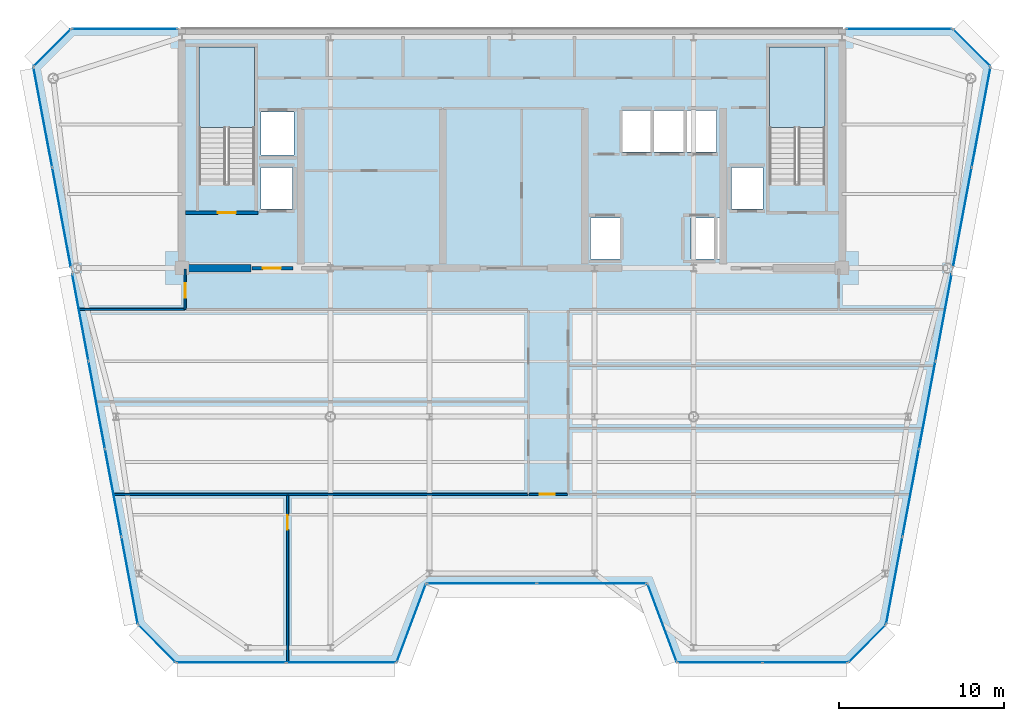
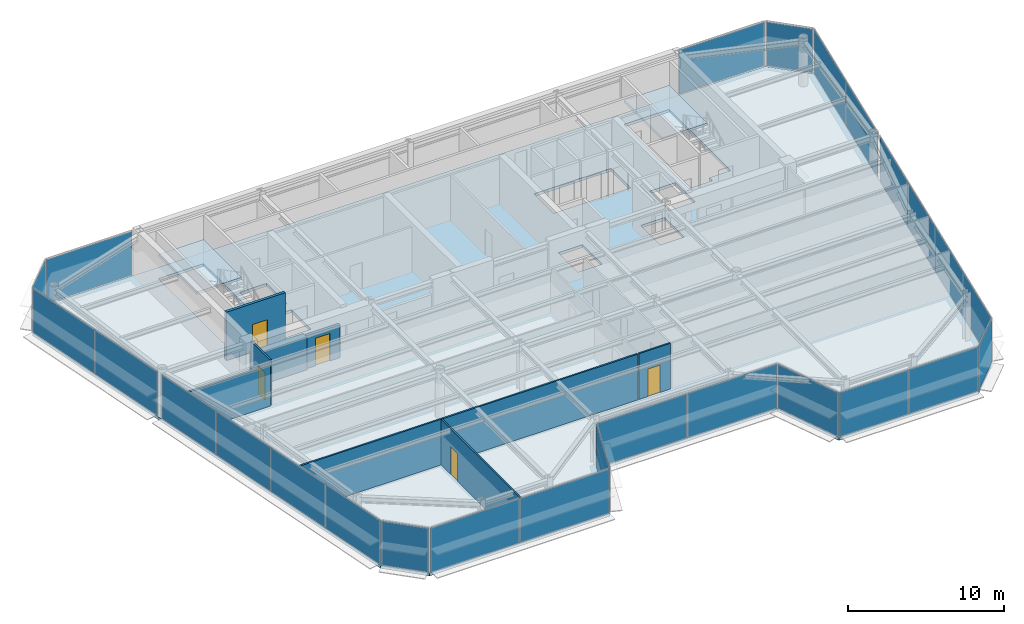
# One storey, part 10 of 20: 26 plates, 8 walls, 5 doors, 3 slabs, 5 openings, 17 elements without a shape of their own.
"""IFC4 building model written with IfcOpenShell, lengths in metres."""

from ifc_helpers import new_model, si_unit, direction, frame, frame_2d, origin, origin_2d, place, context, subcontext, project, spatial, polyline, rectangle, outline, extrude, source, transform, mapped, material, layer, layer_set, type_object, element, fill, aggregate, save


model = new_model("IFC4")

# Units and contexts
model_context = context("Model", 3, precision=1e-05, world=origin(), true_north=direction((0.0, 1.0)))
body_context = subcontext(model_context, "Body", "Model", "MODEL_VIEW")
ifc_project = project(units=[si_unit("LENGTHUNIT", "METRE"), si_unit("AREAUNIT", "SQUARE_METRE"), si_unit("VOLUMEUNIT", "CUBIC_METRE"), si_unit("PLANEANGLEUNIT", "RADIAN"), si_unit("MASSUNIT", "GRAM", prefix="KILO")], contexts=[model_context])

# Site, building, storey
site_placement = place(None, origin())
site = spatial("IfcSite", under=ifc_project, at=site_placement, CompositionType="ELEMENT")
building_placement = place(site_placement, origin())
building = spatial("IfcBuilding", under=site, at=building_placement, Name="Vaeldorn Concourse Tower", CompositionType="ELEMENT")
storey_placement = place(building_placement, frame((0.0, 0.0, 295.39990234375)))
storey = spatial("IfcBuildingStorey", under=building, at=storey_placement, Name="L76", CompositionType="ELEMENT", Elevation=295.39990234375)

# Stair, slab
ifc_material_1 = material(Name="Precast concrete C40/50", Category="concrete")
stair_type = type_object("IfcStairType", Name="STR-DOG-24x158", PredefinedType="HALF_TURN_STAIR", material=ifc_material_1)
stair_1_placement = place(storey_placement, origin())
stair_1 = element("IfcStair", 1, at=stair_1_placement, inside=storey, type_object=stair_type, Name="L76 West Core Exit Stair ST-1", PredefinedType="HALF_TURN_STAIR")
ifc_material_2 = material(Name="Concrete C40/50", Category="concrete")
ifc_layer_1 = layer(ifc_material_2, 0.199951171875)
ifc_layer_set_1 = layer_set([ifc_layer_1], Name="Concrete C40/50")
slab_type_1 = type_object("IfcSlabType", Name="SL-STAIR-LANDING", PredefinedType="LANDING", material=ifc_layer_set_1)
slab_1_placement = place(storey_placement, frame((0.0, 0.0, 1.7001953125)))
slab_1 = element("IfcSlab", 2, at=slab_1_placement, type_object=slab_type_1, Name="ST-1 landing 1", PredefinedType="LANDING", context=body_context, shape_type="SweptSolid", body=[
    extrude(outline(polyline([(18.39990234375, 45.010009765625), (18.39990234375, 49.89990234375), (15.050048828125, 49.89990234375), (15.050048828125, 45.010009765625), (18.39990234375, 45.010009765625)])), origin(), (0.0, 0.0, 1.0), 0.199951171875),
])
aggregate(stair_1, [slab_1])

stair_2_placement = place(storey_placement, origin())
stair_2 = element("IfcStair", 3, at=stair_2_placement, inside=storey, type_object=stair_type, Name="L76 East Core Exit Stair ST-2", PredefinedType="HALF_TURN_STAIR")
slab_2_placement = place(storey_placement, frame((0.0, 0.0, 1.7001953125)))
slab_2 = element("IfcSlab", 4, at=slab_2_placement, type_object=slab_type_1, Name="ST-2 landing 1", PredefinedType="LANDING", context=body_context, shape_type="SweptSolid", body=[
    extrude(outline(polyline([(52.949951171875, 45.010009765625), (52.949951171875, 49.89990234375), (49.60009765625, 49.89990234375), (49.60009765625, 45.010009765625), (52.949951171875, 45.010009765625)])), origin(), (0.0, 0.0, 1.0), 0.199951171875),
])
aggregate(stair_2, [slab_2])

# Slab
ifc_layer_2 = layer(ifc_material_2, 0.219970703125)
ifc_layer_set_2 = layer_set([ifc_layer_2], Name="Concrete C40/50")
slab_type_2 = type_object("IfcSlabType", Name="SL-TYP-220", PredefinedType="FLOOR", material=ifc_layer_set_2)
slab_3_placement = place(storey_placement, frame((0.0, 0.0, -0.219970703125)))
element("IfcSlab", 5, at=slab_3_placement, inside=storey, type_object=slab_type_2, Name="Structural Floor Slab L76", PredefinedType="FLOOR", context=body_context, shape_type="SweptSolid", body=[
    extrude(outline(polyline([(13.635986328125, 12.60009765625), (27.0, 12.60009765625), (28.800048828125, 17.39990234375), (42.199951171875, 17.39990234375), (44.0, 12.60009765625), (54.364013671875, 12.60009765625), (56.6640625, 14.89990234375), (63.0, 48.699951171875), (60.699951171875, 51.0), (7.300048828125, 51.0), (5.0, 48.699951171875), (11.3359375, 14.89990234375), (13.635986328125, 12.60009765625)]), holes=[polyline([(18.39990234375, 42.0), (18.39990234375, 49.89990234375), (15.050048828125, 49.89990234375), (15.050048828125, 41.60009765625), (16.800048828125, 41.60009765625), (16.800048828125, 42.0), (18.39990234375, 42.0)]), polyline([(52.949951171875, 42.0), (52.949951171875, 49.89990234375), (49.60009765625, 49.89990234375), (49.60009765625, 41.60009765625), (51.35009765625, 41.60009765625), (51.35009765625, 42.0), (52.949951171875, 42.0)]), polyline([(38.75, 37.050048828125), (40.550048828125, 37.050048828125), (40.550048828125, 39.550048828125), (38.75, 39.550048828125), (38.75, 37.050048828125)]), polyline([(44.85009765625, 37.050048828125), (46.64990234375, 37.050048828125), (46.64990234375, 39.550048828125), (44.85009765625, 39.550048828125), (44.85009765625, 37.050048828125)]), polyline([(40.699951171875, 43.550048828125), (46.39990234375, 43.550048828125), (46.39990234375, 46.050048828125), (40.699951171875, 46.050048828125), (40.699951171875, 43.550048828125)]), polyline([(18.800048828125, 43.35009765625), (20.800048828125, 43.35009765625), (20.800048828125, 45.949951171875), (18.800048828125, 45.949951171875), (18.800048828125, 43.35009765625)]), polyline([(18.800048828125, 40.10009765625), (20.699951171875, 40.10009765625), (20.699951171875, 42.60009765625), (18.800048828125, 42.60009765625), (18.800048828125, 40.10009765625)]), polyline([(47.300048828125, 40.10009765625), (49.199951171875, 40.10009765625), (49.199951171875, 42.60009765625), (47.300048828125, 42.60009765625), (47.300048828125, 40.10009765625)])]), origin(), (0.0, 0.0, 1.0), 0.219970703125),
])

# Curtain wall, plate
ifc_material_3 = material(Name="Anodised Bronze Aluminium", Category="aluminium")
ifc_layer_3 = layer(ifc_material_3, 0.179931640625)
ifc_layer_set_3 = layer_set([ifc_layer_3], Name="Anodised Bronze Aluminium")
curtain_wall_type = type_object("IfcCurtainWallType", Name="CW-SYS-05", PredefinedType="NOTDEFINED", material=ifc_layer_set_3)
curtain_wall_1_placement = place(storey_placement, origin())
curtain_wall_1 = element("IfcCurtainWall", 6, at=curtain_wall_1_placement, inside=storey, type_object=curtain_wall_type, Name="Unitised Curtain Wall CW-L76-E02-1", PredefinedType="NOTDEFINED")
ifc_material_4 = material(Name="Bronze Tinted Low-E Insulated Glass", Category="glass")
ifc_layer_4 = layer(ifc_material_4, 0.031982421875)
ifc_layer_set_4 = layer_set([ifc_layer_4], Name="Bronze Tinted Low-E Insulated Glass")
plate_type = type_object("IfcPlateType", Name="CWP-VISION-32", PredefinedType="CURTAIN_PANEL", material=ifc_layer_set_4)
shared_shape_1 = source(origin(), body_context, "Body", "SweptSolid", [
    extrude(rectangle(XDim=4.996337890625, YDim=0.031982421875, at=origin_2d()), origin(), (0.0, 0.0, 1.0), 3.449951171875),
])
plate_1_placement = place(storey_placement, frame((27.89990234375, 15.0, 0.06494140625), z_axis=(0.0, 0.0, 1.0), x_axis=(0.351123441595, 0.936329177566, 0.0)))
plate_1 = element("IfcPlate", 7, at=plate_1_placement, type_object=plate_type, Name="CW-05 panel 1.1", PredefinedType="CURTAIN_PANEL", context=body_context, shape_type="MappedRepresentation", body=[
    mapped(shared_shape_1, transform((0.0, 0.0, 0.0), scale=1.0)),
])
aggregate(curtain_wall_1, [plate_1])

curtain_wall_2_placement = place(storey_placement, origin())
curtain_wall_2 = element("IfcCurtainWall", 8, at=curtain_wall_2_placement, inside=storey, type_object=curtain_wall_type, Name="Unitised Curtain Wall CW-L76-E04-1", PredefinedType="NOTDEFINED")
plate_2_placement = place(storey_placement, frame((43.10009765625, 15.0, 0.06494140625), z_axis=(0.0, 0.0, 1.0), x_axis=(0.351123441595, -0.936329177566, 0.0)))
plate_2 = element("IfcPlate", 9, at=plate_2_placement, type_object=plate_type, Name="CW-05 panel 1.1", PredefinedType="CURTAIN_PANEL", context=body_context, shape_type="MappedRepresentation", body=[
    mapped(shared_shape_1, transform((0.0, 0.0, 0.0), scale=1.0)),
])
aggregate(curtain_wall_2, [plate_2])

# Curtain wall, plates
curtain_wall_3_placement = place(storey_placement, origin())
curtain_wall_3 = element("IfcCurtainWall", 10, at=curtain_wall_3_placement, inside=storey, type_object=curtain_wall_type, Name="Unitised Curtain Wall CW-L76-E03-1", PredefinedType="NOTDEFINED")
shared_shape_2 = source(origin(), body_context, "Body", "SweptSolid", [
    extrude(rectangle(XDim=6.6025390625, YDim=0.031982421875, at=origin_2d()), origin(), (0.0, 0.0, 1.0), 3.449951171875),
])
plate_3_placement = place(storey_placement, frame((32.166259765625, 17.39990234375, 0.06494140625), z_axis=(0.0, 0.0, 1.0), x_axis=(1.0, 0.0, 0.0)))
plate_3 = element("IfcPlate", 11, at=plate_3_placement, type_object=plate_type, Name="CW-05 panel 1.1", PredefinedType="CURTAIN_PANEL", context=body_context, shape_type="MappedRepresentation", body=[
    mapped(shared_shape_2, transform((0.0, 0.0, 0.0), scale=1.0)),
])
plate_4_placement = place(storey_placement, frame((38.833740234375, 17.39990234375, 0.06494140625), z_axis=(0.0, 0.0, 1.0), x_axis=(1.0, 0.0, 0.0)))
plate_4 = element("IfcPlate", 12, at=plate_4_placement, type_object=plate_type, Name="CW-05 panel 2.1", PredefinedType="CURTAIN_PANEL", context=body_context, shape_type="MappedRepresentation", body=[
    mapped(shared_shape_2, transform((0.0, 0.0, 0.0), scale=1.0)),
])
aggregate(curtain_wall_3, [plate_3, plate_4])

# Curtain wall, plate
curtain_wall_4_placement = place(storey_placement, origin())
curtain_wall_4 = element("IfcCurtainWall", 13, at=curtain_wall_4_placement, inside=storey, type_object=curtain_wall_type, Name="Unitised Curtain Wall CW-L76-E06-1", PredefinedType="NOTDEFINED")
shared_shape_3 = source(origin(), body_context, "Body", "SweptSolid", [
    extrude(rectangle(XDim=3.122802734375, YDim=0.031982421875, at=origin_2d()), origin(), (0.0, 0.0, 1.0), 3.449951171875),
])
plate_5_placement = place(storey_placement, frame((55.513916015625, 13.75, 0.06494140625), z_axis=(0.0, 0.0, 1.0), x_axis=(0.707106781187, 0.707106781187, 0.0)))
plate_5 = element("IfcPlate", 14, at=plate_5_placement, type_object=plate_type, Name="CW-05 panel 1.1", PredefinedType="CURTAIN_PANEL", context=body_context, shape_type="MappedRepresentation", body=[
    mapped(shared_shape_3, transform((0.0, 0.0, 0.0), scale=1.0)),
])
aggregate(curtain_wall_4, [plate_5])

curtain_wall_5_placement = place(storey_placement, origin())
curtain_wall_5 = element("IfcCurtainWall", 15, at=curtain_wall_5_placement, inside=storey, type_object=curtain_wall_type, Name="Unitised Curtain Wall CW-L76-E08-1", PredefinedType="NOTDEFINED")
plate_6_placement = place(storey_placement, frame((61.85009765625, 49.85009765625, 0.06494140625), z_axis=(0.0, 0.0, 1.0), x_axis=(-0.707106781187, 0.707106781187, 0.0)))
plate_6 = element("IfcPlate", 16, at=plate_6_placement, type_object=plate_type, Name="CW-05 panel 1.1", PredefinedType="CURTAIN_PANEL", context=body_context, shape_type="MappedRepresentation", body=[
    mapped(shared_shape_3, transform((0.0, 0.0, 0.0), scale=1.0)),
])
aggregate(curtain_wall_5, [plate_6])

curtain_wall_6_placement = place(storey_placement, origin())
curtain_wall_6 = element("IfcCurtainWall", 17, at=curtain_wall_6_placement, inside=storey, type_object=curtain_wall_type, Name="Unitised Curtain Wall CW-L76-E10-1", PredefinedType="NOTDEFINED")
plate_7_placement = place(storey_placement, frame((6.14990234375, 49.85009765625, 0.06494140625), z_axis=(0.0, 0.0, 1.0), x_axis=(-0.707106781187, -0.707106781187, 0.0)))
plate_7 = element("IfcPlate", 18, at=plate_7_placement, type_object=plate_type, Name="CW-05 panel 1.1", PredefinedType="CURTAIN_PANEL", context=body_context, shape_type="MappedRepresentation", body=[
    mapped(shared_shape_3, transform((0.0, 0.0, 0.0), scale=1.0)),
])
aggregate(curtain_wall_6, [plate_7])

curtain_wall_7_placement = place(storey_placement, origin())
curtain_wall_7 = element("IfcCurtainWall", 19, at=curtain_wall_7_placement, inside=storey, type_object=curtain_wall_type, Name="Unitised Curtain Wall CW-L76-E12-1", PredefinedType="NOTDEFINED")
plate_8_placement = place(storey_placement, frame((12.486083984375, 13.75, 0.06494140625), z_axis=(0.0, 0.0, 1.0), x_axis=(0.707106781187, -0.707106781187, 0.0)))
plate_8 = element("IfcPlate", 20, at=plate_8_placement, type_object=plate_type, Name="CW-05 panel 1.1", PredefinedType="CURTAIN_PANEL", context=body_context, shape_type="MappedRepresentation", body=[
    mapped(shared_shape_3, transform((0.0, 0.0, 0.0), scale=1.0)),
])
aggregate(curtain_wall_7, [plate_8])

curtain_wall_8_placement = place(storey_placement, origin())
curtain_wall_8 = element("IfcCurtainWall", 21, at=curtain_wall_8_placement, inside=storey, type_object=curtain_wall_type, Name="Unitised Curtain Wall CW-L76-E09-1", PredefinedType="NOTDEFINED")
shared_shape_4 = source(origin(), body_context, "Body", "SweptSolid", [
    extrude(rectangle(XDim=6.35009765625, YDim=0.031982421875, at=origin_2d()), origin(), (0.0, 0.0, 1.0), 3.449951171875),
])
plate_9_placement = place(storey_placement, frame((57.4599609375, 51.0, 0.06494140625), z_axis=(0.0, 0.0, 1.0), x_axis=(-1.0, 0.0, 0.0)))
plate_9 = element("IfcPlate", 22, at=plate_9_placement, type_object=plate_type, Name="CW-05 panel 1.1", PredefinedType="CURTAIN_PANEL", context=body_context, shape_type="MappedRepresentation", body=[
    mapped(shared_shape_4, transform((0.0, 0.0, 0.0), scale=1.0)),
])
aggregate(curtain_wall_8, [plate_9])

curtain_wall_9_placement = place(storey_placement, origin())
curtain_wall_9 = element("IfcCurtainWall", 23, at=curtain_wall_9_placement, inside=storey, type_object=curtain_wall_type, Name="Unitised Curtain Wall CW-L76-E09-2", PredefinedType="NOTDEFINED")
plate_10_placement = place(storey_placement, frame((10.5400390625, 51.0, 0.06494140625), z_axis=(0.0, 0.0, 1.0), x_axis=(-1.0, 0.0, 0.0)))
plate_10 = element("IfcPlate", 24, at=plate_10_placement, type_object=plate_type, Name="CW-05 panel 1.1", PredefinedType="CURTAIN_PANEL", context=body_context, shape_type="MappedRepresentation", body=[
    mapped(shared_shape_4, transform((0.0, 0.0, 0.0), scale=1.0)),
])
aggregate(curtain_wall_9, [plate_10])

# Curtain wall, plates
curtain_wall_10_placement = place(storey_placement, origin())
curtain_wall_10 = element("IfcCurtainWall", 25, at=curtain_wall_10_placement, inside=storey, type_object=curtain_wall_type, Name="Unitised Curtain Wall CW-L76-E07-1", PredefinedType="NOTDEFINED")
shared_shape_5 = source(origin(), body_context, "Body", "SweptSolid", [
    extrude(rectangle(XDim=5.31640625, YDim=0.031982421875, at=origin_2d()), origin(), (0.0, 0.0, 1.0), 3.449951171875),
])
plate_11_placement = place(storey_placement, frame((57.165771484375, 17.57666015625, 0.06494140625), z_axis=(0.0, 0.0, 1.0), x_axis=(0.184246714088, 0.982880027444, 0.0)))
plate_11 = element("IfcPlate", 26, at=plate_11_placement, type_object=plate_type, Name="CW-05 panel 1.1", PredefinedType="CURTAIN_PANEL", context=body_context, shape_type="MappedRepresentation", body=[
    mapped(shared_shape_5, transform((0.0, 0.0, 0.0), scale=1.0)),
])
plate_12_placement = place(storey_placement, frame((60.15234375, 33.50830078125, 0.06494140625), z_axis=(0.0, 0.0, 1.0), x_axis=(0.184246714088, 0.982880027444, 0.0)))
plate_12 = element("IfcPlate", 27, at=plate_12_placement, type_object=plate_type, Name="CW-05 panel 4.1", PredefinedType="CURTAIN_PANEL", context=body_context, shape_type="MappedRepresentation", body=[
    mapped(shared_shape_5, transform((0.0, 0.0, 0.0), scale=1.0)),
])

curtain_wall_11_placement = place(storey_placement, origin())
curtain_wall_11 = element("IfcCurtainWall", 28, at=curtain_wall_11_placement, inside=storey, type_object=curtain_wall_type, Name="Unitised Curtain Wall CW-L76-E11-2", PredefinedType="NOTDEFINED")
plate_13_placement = place(storey_placement, frame((7.84765625, 33.50830078125, 0.06494140625), z_axis=(0.0, 0.0, 1.0), x_axis=(0.184246714088, -0.982880027444, 0.0)))
plate_13 = element("IfcPlate", 29, at=plate_13_placement, type_object=plate_type, Name="CW-05 panel 1.1", PredefinedType="CURTAIN_PANEL", context=body_context, shape_type="MappedRepresentation", body=[
    mapped(shared_shape_5, transform((0.0, 0.0, 0.0), scale=1.0)),
])
plate_14_placement = place(storey_placement, frame((10.834228515625, 17.57666015625, 0.06494140625), z_axis=(0.0, 0.0, 1.0), x_axis=(0.184246714088, -0.982880027444, 0.0)))
plate_14 = element("IfcPlate", 30, at=plate_14_placement, type_object=plate_type, Name="CW-05 panel 4.1", PredefinedType="CURTAIN_PANEL", context=body_context, shape_type="MappedRepresentation", body=[
    mapped(shared_shape_5, transform((0.0, 0.0, 0.0), scale=1.0)),
])

# Plate
shared_shape_6 = source(origin(), body_context, "Body", "SweptSolid", [
    extrude(rectangle(XDim=5.348876953125, YDim=0.031982421875, at=origin_2d()), origin(), (0.0, 0.0, 1.0), 3.449951171875),
])
plate_15_placement = place(storey_placement, frame((58.16015625, 22.8818359375, 0.06494140625), z_axis=(0.0, 0.0, 1.0), x_axis=(0.184246714088, 0.982880027444, 0.0)))
plate_15 = element("IfcPlate", 31, at=plate_15_placement, type_object=plate_type, Name="CW-05 panel 2.1", PredefinedType="CURTAIN_PANEL", context=body_context, shape_type="MappedRepresentation", body=[
    mapped(shared_shape_6, transform((0.0, 0.0, 0.0), scale=1.0)),
])

plate_16_placement = place(storey_placement, frame((59.15771484375, 28.203125, 0.06494140625), z_axis=(0.0, 0.0, 1.0), x_axis=(0.184246714088, 0.982880027444, 0.0)))
plate_16 = element("IfcPlate", 32, at=plate_16_placement, type_object=plate_type, Name="CW-05 panel 3.1", PredefinedType="CURTAIN_PANEL", context=body_context, shape_type="MappedRepresentation", body=[
    mapped(shared_shape_6, transform((0.0, 0.0, 0.0), scale=1.0)),
])

aggregate(curtain_wall_10, [plate_11, plate_15, plate_16, plate_12])

plate_17_placement = place(storey_placement, frame((8.84228515625, 28.203125, 0.06494140625), z_axis=(0.0, 0.0, 1.0), x_axis=(0.184246714088, -0.982880027444, 0.0)))
plate_17 = element("IfcPlate", 33, at=plate_17_placement, type_object=plate_type, Name="CW-05 panel 2.1", PredefinedType="CURTAIN_PANEL", context=body_context, shape_type="MappedRepresentation", body=[
    mapped(shared_shape_6, transform((0.0, 0.0, 0.0), scale=1.0)),
])

plate_18_placement = place(storey_placement, frame((9.83984375, 22.8818359375, 0.06494140625), z_axis=(0.0, 0.0, 1.0), x_axis=(0.184246714088, -0.982880027444, 0.0)))
plate_18 = element("IfcPlate", 34, at=plate_18_placement, type_object=plate_type, Name="CW-05 panel 3.1", PredefinedType="CURTAIN_PANEL", context=body_context, shape_type="MappedRepresentation", body=[
    mapped(shared_shape_6, transform((0.0, 0.0, 0.0), scale=1.0)),
])

aggregate(curtain_wall_11, [plate_13, plate_17, plate_18, plate_14])

# Curtain wall, plates
curtain_wall_12_placement = place(storey_placement, origin())
curtain_wall_12 = element("IfcCurtainWall", 35, at=curtain_wall_12_placement, inside=storey, type_object=curtain_wall_type, Name="Unitised Curtain Wall CW-L76-E07-2", PredefinedType="NOTDEFINED")
shared_shape_7 = source(origin(), body_context, "Body", "SweptSolid", [
    extrude(rectangle(XDim=6.103515625, YDim=0.031982421875, at=origin_2d()), origin(), (0.0, 0.0, 1.0), 3.449951171875),
])
plate_19_placement = place(storey_placement, frame((61.289306640625, 39.57373046875, 0.06494140625), z_axis=(0.0, 0.0, 1.0), x_axis=(0.184245693053, 0.982880218842, 0.0)))
plate_19 = element("IfcPlate", 36, at=plate_19_placement, type_object=plate_type, Name="CW-05 panel 1.1", PredefinedType="CURTAIN_PANEL", context=body_context, shape_type="MappedRepresentation", body=[
    mapped(shared_shape_7, transform((0.0, 0.0, 0.0), scale=1.0)),
])
plate_20_placement = place(storey_placement, frame((62.42578125, 45.63671875, 0.06494140625), z_axis=(0.0, 0.0, 1.0), x_axis=(0.184245693053, 0.982880218842, 0.0)))
plate_20 = element("IfcPlate", 37, at=plate_20_placement, type_object=plate_type, Name="CW-05 panel 2.1", PredefinedType="CURTAIN_PANEL", context=body_context, shape_type="MappedRepresentation", body=[
    mapped(shared_shape_7, transform((0.0, 0.0, 0.0), scale=1.0)),
])
aggregate(curtain_wall_12, [plate_19, plate_20])

curtain_wall_13_placement = place(storey_placement, origin())
curtain_wall_13 = element("IfcCurtainWall", 38, at=curtain_wall_13_placement, inside=storey, type_object=curtain_wall_type, Name="Unitised Curtain Wall CW-L76-E11-1", PredefinedType="NOTDEFINED")
plate_21_placement = place(storey_placement, frame((5.57421875, 45.63671875, 0.06494140625), z_axis=(0.0, 0.0, 1.0), x_axis=(0.184245693053, -0.982880218842, 0.0)))
plate_21 = element("IfcPlate", 39, at=plate_21_placement, type_object=plate_type, Name="CW-05 panel 1.1", PredefinedType="CURTAIN_PANEL", context=body_context, shape_type="MappedRepresentation", body=[
    mapped(shared_shape_7, transform((0.0, 0.0, 0.0), scale=1.0)),
])
plate_22_placement = place(storey_placement, frame((6.710693359375, 39.57373046875, 0.06494140625), z_axis=(0.0, 0.0, 1.0), x_axis=(0.184245693053, -0.982880218842, 0.0)))
plate_22 = element("IfcPlate", 40, at=plate_22_placement, type_object=plate_type, Name="CW-05 panel 2.1", PredefinedType="CURTAIN_PANEL", context=body_context, shape_type="MappedRepresentation", body=[
    mapped(shared_shape_7, transform((0.0, 0.0, 0.0), scale=1.0)),
])
aggregate(curtain_wall_13, [plate_21, plate_22])

curtain_wall_14_placement = place(storey_placement, origin())
curtain_wall_14 = element("IfcCurtainWall", 41, at=curtain_wall_14_placement, inside=storey, type_object=curtain_wall_type, Name="Unitised Curtain Wall CW-L76-E01-1", PredefinedType="NOTDEFINED")
shared_shape_8 = source(origin(), body_context, "Body", "SweptSolid", [
    extrude(rectangle(XDim=6.58447265625, YDim=0.031982421875, at=origin_2d()), origin(), (0.0, 0.0, 1.0), 3.449951171875),
])
plate_23_placement = place(storey_placement, frame((16.9931640625, 12.60009765625, 0.06494140625), z_axis=(0.0, 0.0, 1.0), x_axis=(1.0, 0.0, 0.0)))
plate_23 = element("IfcPlate", 42, at=plate_23_placement, type_object=plate_type, Name="CW-05 panel 1.1", PredefinedType="CURTAIN_PANEL", context=body_context, shape_type="MappedRepresentation", body=[
    mapped(shared_shape_8, transform((0.0, 0.0, 0.0), scale=1.0)),
])
plate_24_placement = place(storey_placement, frame((23.642822265625, 12.60009765625, 0.06494140625), z_axis=(0.0, 0.0, 1.0), x_axis=(1.0, 0.0, 0.0)))
plate_24 = element("IfcPlate", 43, at=plate_24_placement, type_object=plate_type, Name="CW-05 panel 2.1", PredefinedType="CURTAIN_PANEL", context=body_context, shape_type="MappedRepresentation", body=[
    mapped(shared_shape_8, transform((0.0, 0.0, 0.0), scale=1.0)),
])
aggregate(curtain_wall_14, [plate_23, plate_24])

curtain_wall_15_placement = place(storey_placement, origin())
curtain_wall_15 = element("IfcCurtainWall", 44, at=curtain_wall_15_placement, inside=storey, type_object=curtain_wall_type, Name="Unitised Curtain Wall CW-L76-E05-1", PredefinedType="NOTDEFINED")
shared_shape_9 = source(origin(), body_context, "Body", "SweptSolid", [
    extrude(rectangle(XDim=5.08447265625, YDim=0.031982421875, at=origin_2d()), origin(), (0.0, 0.0, 1.0), 3.449951171875),
])
plate_25_placement = place(storey_placement, frame((46.607177734375, 12.60009765625, 0.06494140625), z_axis=(0.0, 0.0, 1.0), x_axis=(1.0, 0.0, 0.0)))
plate_25 = element("IfcPlate", 45, at=plate_25_placement, type_object=plate_type, Name="CW-05 panel 1.1", PredefinedType="CURTAIN_PANEL", context=body_context, shape_type="MappedRepresentation", body=[
    mapped(shared_shape_9, transform((0.0, 0.0, 0.0), scale=1.0)),
])
plate_26_placement = place(storey_placement, frame((51.7568359375, 12.60009765625, 0.06494140625), z_axis=(0.0, 0.0, 1.0), x_axis=(1.0, 0.0, 0.0)))
plate_26 = element("IfcPlate", 46, at=plate_26_placement, type_object=plate_type, Name="CW-05 panel 2.1", PredefinedType="CURTAIN_PANEL", context=body_context, shape_type="MappedRepresentation", body=[
    mapped(shared_shape_9, transform((0.0, 0.0, 0.0), scale=1.0)),
])
aggregate(curtain_wall_15, [plate_25, plate_26])

# Wall
ifc_material_5 = material(Name="Concrete C50/60", Category="concrete")
ifc_layer_5 = layer(ifc_material_5, 0.449951171875)
ifc_layer_set_5 = layer_set([ifc_layer_5], Name="Concrete C50/60")
wall_type_1 = type_object("IfcWallType", Name="WL-CORE-450", PredefinedType="SHEAR", material=ifc_layer_set_5)
wall_1_placement = place(storey_placement, frame((14.2451171875, 36.5, 0.0), z_axis=(0.0, 0.0, 1.0), x_axis=(1.0, 0.0, 0.0)))
element("IfcWall", 47, at=wall_1_placement, inside=storey, type_object=wall_type_1, Name="Rear Core Shear Wall L76 S1", PredefinedType="SHEAR", context=body_context, shape_type="SweptSolid", body=[
    extrude(rectangle(XDim=3.954833984375, YDim=0.449951171875, at=frame_2d((1.9775390625, 0.0))), origin(), (0.0, 0.0, 1.0), 2.580078125),
])

# Wall, opening, door
ifc_material_6 = material(Name="Gypsum Board Partition", Category="gypsum")
ifc_layer_6 = layer(ifc_material_6, 0.1201171875)
ifc_layer_set_6 = layer_set([ifc_layer_6], Name="Gypsum Board Partition")
wall_type_2 = type_object("IfcWallType", Name="WL-PART-120", PredefinedType="PARTITIONING", material=ifc_layer_set_6)
wall_2_placement = place(storey_placement, frame((14.199951171875, 34.0, 0.0), z_axis=(0.0, 0.0, 1.0), x_axis=(0.0, 1.0, 0.0)))
wall_2 = element("IfcWall", 48, at=wall_2_placement, inside=storey, type_object=wall_type_2, Name="Interior Wall PW-L76-C3W", PredefinedType="PARTITIONING", context=body_context, shape_type="SweptSolid", body=[
    extrude(rectangle(XDim=2.43994140625, YDim=0.1201171875, at=frame_2d((1.219970703125, 0.0))), origin(), (0.0, 0.0, 1.0), 3.580078125),
])
opening_1_placement = place(wall_2_placement, frame((0.699951171875, 0.0, 0.0)))
opening_1 = element("IfcOpeningElement", 49, at=opening_1_placement, cuts=wall_2, Name="Opening D-03", PredefinedType="OPENING", context=body_context, shape_type="SweptSolid", body=[
    extrude(rectangle(XDim=0.89990234375, YDim=2.14990234375, at=frame_2d((0.449951171875, 1.074951171875))), frame((0.0, 0.070068359375, 0.0), z_axis=(0.0, -1.0, 0.0), x_axis=(1.0, 0.0, 0.0)), (0.0, 0.0, 1.0), 0.14013671875),
])
ifc_material_7 = material(Name="Acoustic Bronze-Framed Glass Door", Category="glass")
door_type_1 = type_object("IfcDoorType", Name="DR-INT-900", OperationType="NOTDEFINED", PredefinedType="DOOR", material=ifc_material_7)
shared_shape_10 = source(origin(), body_context, "Body", "SweptSolid", [
    extrude(rectangle(XDim=0.89990234375, YDim=2.14990234375, at=frame_2d((0.449951171875, 1.074951171875))), frame((0.0, 0.02490234375, 0.0), z_axis=(0.0, -1.0, 0.0), x_axis=(1.0, 0.0, 0.0)), (0.0, 0.0, 1.0), 0.050048828125),
])
door_1_placement = place(opening_1_placement, origin())
door_1 = element("IfcDoor", 50, at=door_1_placement, inside=storey, type_object=door_type_1, Name="Interior Door DR-L76-Z3NW", OperationType="SINGLE_SWING_LEFT", OverallHeight=2.14990234375, OverallWidth=0.89990234375, PredefinedType="DOOR", context=body_context, shape_type="MappedRepresentation", body=[
    mapped(shared_shape_10, transform((0.0, 0.0, 0.0), scale=1.0)),
])
fill(opening_1, door_1)

wall_3_placement = place(storey_placement, frame((35.0400390625, 22.800048828125, 0.0), z_axis=(0.0, 0.0, 1.0), x_axis=(1.0, 0.0, 0.0)))
wall_3 = element("IfcWall", 51, at=wall_3_placement, inside=storey, type_object=wall_type_2, Name="Interior Wall PW-L76-CSPS", PredefinedType="PARTITIONING", context=body_context, shape_type="SweptSolid", body=[
    extrude(rectangle(XDim=2.320068359375, YDim=0.1201171875, at=frame_2d((1.16015625, 0.0))), origin(), (0.0, 0.0, 1.0), 3.580078125),
])
opening_2_placement = place(wall_3_placement, frame((0.64990234375, 0.0, 0.0)))
opening_2 = element("IfcOpeningElement", 52, at=opening_2_placement, cuts=wall_3, Name="Opening D-03", PredefinedType="OPENING", context=body_context, shape_type="SweptSolid", body=[
    extrude(rectangle(XDim=0.89990234375, YDim=2.14990234375, at=frame_2d((0.449951171875, 1.074951171875))), frame((0.0, 0.070068359375, 0.0), z_axis=(0.0, -1.0, 0.0), x_axis=(1.0, 0.0, 0.0)), (0.0, 0.0, 1.0), 0.14013671875),
])
door_2_placement = place(opening_2_placement, origin())
door_2 = element("IfcDoor", 53, at=door_2_placement, inside=storey, type_object=door_type_1, Name="Interior Door DR-L76-Z3SM", OperationType="SINGLE_SWING_LEFT", OverallHeight=2.14990234375, OverallWidth=0.89990234375, PredefinedType="DOOR", context=body_context, shape_type="MappedRepresentation", body=[
    mapped(shared_shape_10, transform((0.0, 0.0, 0.0), scale=1.0)),
])
fill(opening_2, door_2)

# Walls
wall_4_placement = place(storey_placement, frame((7.795654296875, 34.0, 0.0), z_axis=(0.0, 0.0, 1.0), x_axis=(1.0, 0.0, 0.0)))
element("IfcWall", 54, at=wall_4_placement, inside=storey, type_object=wall_type_2, Name="Interior Wall PW-L76-Z3NWB", PredefinedType="PARTITIONING", context=body_context, shape_type="SweptSolid", body=[
    extrude(rectangle(XDim=6.34423828125, YDim=0.1201171875, at=frame_2d((3.172119140625, 0.0))), origin(), (0.0, 0.0, 1.0), 3.210205078125),
])
wall_5_placement = place(storey_placement, frame((9.89501953125, 22.800048828125, 0.0), z_axis=(0.0, 0.0, 1.0), x_axis=(1.0, 0.0, 0.0)))
element("IfcWall", 55, at=wall_5_placement, inside=storey, type_object=wall_type_2, Name="Interior Wall PW-L76-Z3SWL", PredefinedType="PARTITIONING", context=body_context, shape_type="SweptSolid", body=[
    extrude(rectangle(XDim=25.044921875, YDim=0.1201171875, at=frame_2d((12.5224609375, 0.0))), origin(), (0.0, 0.0, 1.0), 3.580078125),
])

# Wall, opening, door
wall_6_placement = place(storey_placement, frame((20.39990234375, 12.639892578125, 0.0), z_axis=(0.0, 0.0, 1.0), x_axis=(0.0, 1.0, 0.0)))
wall_6 = element("IfcWall", 56, at=wall_6_placement, inside=storey, type_object=wall_type_2, Name="Interior Wall PW-L76-Z3SX1", PredefinedType="PARTITIONING", context=body_context, shape_type="SweptSolid", body=[
    extrude(rectangle(XDim=10.10009765625, YDim=0.1201171875, at=frame_2d((5.050048828125, 0.0))), origin(), (0.0, 0.0, 1.0), 3.580078125),
])
opening_3_placement = place(wall_6_placement, frame((8.0, 0.0, 0.0)))
opening_3 = element("IfcOpeningElement", 57, at=opening_3_placement, cuts=wall_6, Name="Opening D-03", PredefinedType="OPENING", context=body_context, shape_type="SweptSolid", body=[
    extrude(rectangle(XDim=0.89990234375, YDim=2.14990234375, at=frame_2d((0.449951171875, 1.074951171875))), frame((0.0, 0.070068359375, 0.0), z_axis=(0.0, -1.0, 0.0), x_axis=(1.0, 0.0, 0.0)), (0.0, 0.0, 1.0), 0.14013671875),
])
door_3_placement = place(opening_3_placement, origin())
door_3 = element("IfcDoor", 58, at=door_3_placement, inside=storey, type_object=door_type_1, Name="Interior Door DR-L76-Z3SX1", OperationType="SINGLE_SWING_RIGHT", OverallHeight=2.14990234375, OverallWidth=0.89990234375, PredefinedType="DOOR", context=body_context, shape_type="MappedRepresentation", body=[
    mapped(shared_shape_10, transform((0.0, 0.0, 0.0), scale=1.0)),
])
fill(opening_3, door_3)

ifc_layer_7 = layer(ifc_material_5, 0.199951171875)
ifc_layer_set_7 = layer_set([ifc_layer_7], Name="Concrete C50/60")
wall_type_3 = type_object("IfcWallType", Name="WL-SHAFT-200", PredefinedType="SOLIDWALL", material=ifc_layer_set_7)
wall_7_placement = place(storey_placement, frame((14.22509765625, 39.85009765625, 0.0), z_axis=(0.0, 0.0, 1.0), x_axis=(1.0, 0.0, 0.0)))
wall_7 = element("IfcWall", 59, at=wall_7_placement, inside=storey, type_object=wall_type_3, Name="Stair Shaft Wall CW-L76-ST-1-S", PredefinedType="SOLIDWALL", context=body_context, shape_type="SweptSolid", body=[
    extrude(rectangle(XDim=4.375, YDim=0.199951171875, at=frame_2d((2.1875, 0.0))), origin(), (0.0, 0.0, 1.0), 3.800048828125),
])
opening_4_placement = place(wall_7_placement, frame((1.949951171875, 0.0, 0.0)))
opening_4 = element("IfcOpeningElement", 60, at=opening_4_placement, cuts=wall_7, Name="Opening D-01", PredefinedType="OPENING", context=body_context, shape_type="SweptSolid", body=[
    extrude(rectangle(XDim=1.10009765625, YDim=2.14990234375, at=frame_2d((0.550048828125, 1.074951171875))), frame((0.0, 0.10986328125, 0.0), z_axis=(0.0, -1.0, 0.0), x_axis=(1.0, 0.0, 0.0)), (0.0, 0.0, 1.0), 0.219970703125),
])
ifc_material_8 = material(Name="Fire-Rated Timber and Steel Leaf", Category="steel")
door_type_2 = type_object("IfcDoorType", Name="DR-FD60-1100", OperationType="NOTDEFINED", PredefinedType="DOOR", material=ifc_material_8)
shared_shape_11 = source(origin(), body_context, "Body", "SweptSolid", [
    extrude(rectangle(XDim=1.10009765625, YDim=2.14990234375, at=frame_2d((0.550048828125, 1.074951171875))), frame((0.0, 0.02490234375, 0.0), z_axis=(0.0, -1.0, 0.0), x_axis=(1.0, 0.0, 0.0)), (0.0, 0.0, 1.0), 0.050048828125),
])
door_4_placement = place(opening_4_placement, origin())
door_4 = element("IfcDoor", 61, at=door_4_placement, inside=storey, type_object=door_type_2, Name="Interior Door DR-L76-ST-1", OperationType="SINGLE_SWING_LEFT", OverallHeight=2.14990234375, OverallWidth=1.10009765625, PredefinedType="DOOR", context=body_context, shape_type="MappedRepresentation", body=[
    mapped(shared_shape_11, transform((0.0, 0.0, 0.0), scale=1.0)),
])
fill(opening_4, door_4)

wall_8_placement = place(storey_placement, frame((18.25, 36.5, 0.0), z_axis=(0.0, 0.0, 1.0), x_axis=(1.0, 0.0, 0.0)))
wall_8 = element("IfcWall", 62, at=wall_8_placement, inside=storey, type_object=wall_type_3, Name="Interior Wall CW-L76-FF1S", PredefinedType="SOLIDWALL", context=body_context, shape_type="SweptSolid", body=[
    extrude(rectangle(XDim=2.469970703125, YDim=0.199951171875, at=frame_2d((1.23486328125, 0.0))), origin(), (0.0, 0.0, 1.0), 2.570068359375),
])
opening_5_placement = place(wall_8_placement, frame((0.64990234375, 0.0, 0.0)))
opening_5 = element("IfcOpeningElement", 63, at=opening_5_placement, cuts=wall_8, Name="Opening D-01", PredefinedType="OPENING", context=body_context, shape_type="SweptSolid", body=[
    extrude(rectangle(XDim=1.10009765625, YDim=2.14990234375, at=frame_2d((0.550048828125, 1.074951171875))), frame((0.0, 0.10986328125, 0.0), z_axis=(0.0, -1.0, 0.0), x_axis=(1.0, 0.0, 0.0)), (0.0, 0.0, 1.0), 0.219970703125),
])
door_5_placement = place(opening_5_placement, origin())
door_5 = element("IfcDoor", 64, at=door_5_placement, inside=storey, type_object=door_type_2, Name="Interior Door DR-L76-FF1E", OperationType="SINGLE_SWING_RIGHT", OverallHeight=2.14990234375, OverallWidth=1.10009765625, PredefinedType="DOOR", context=body_context, shape_type="MappedRepresentation", body=[
    mapped(shared_shape_11, transform((0.0, 0.0, 0.0), scale=1.0)),
])
fill(opening_5, door_5)

save(model, "model.ifc")
